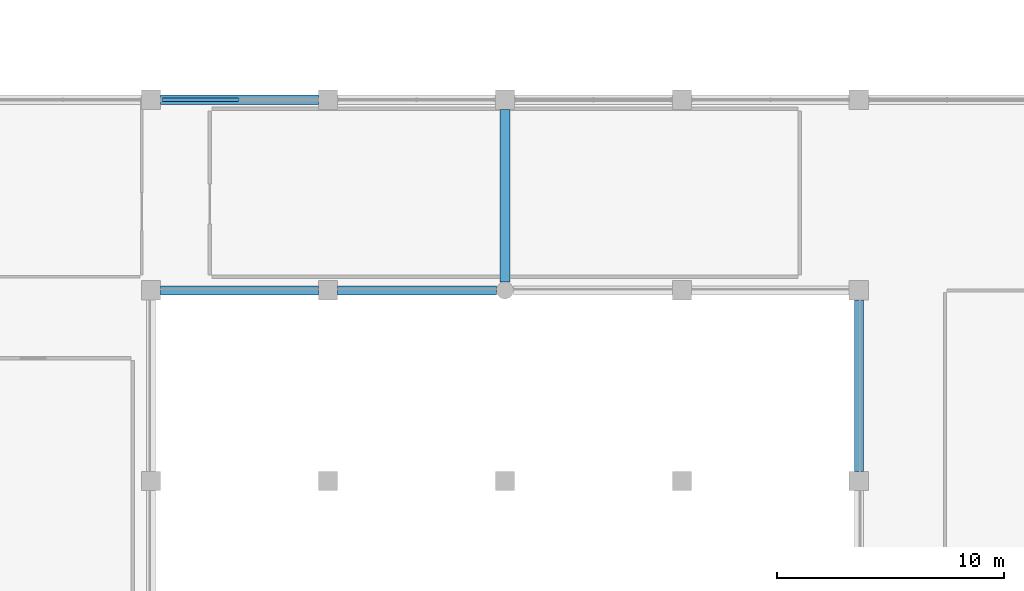
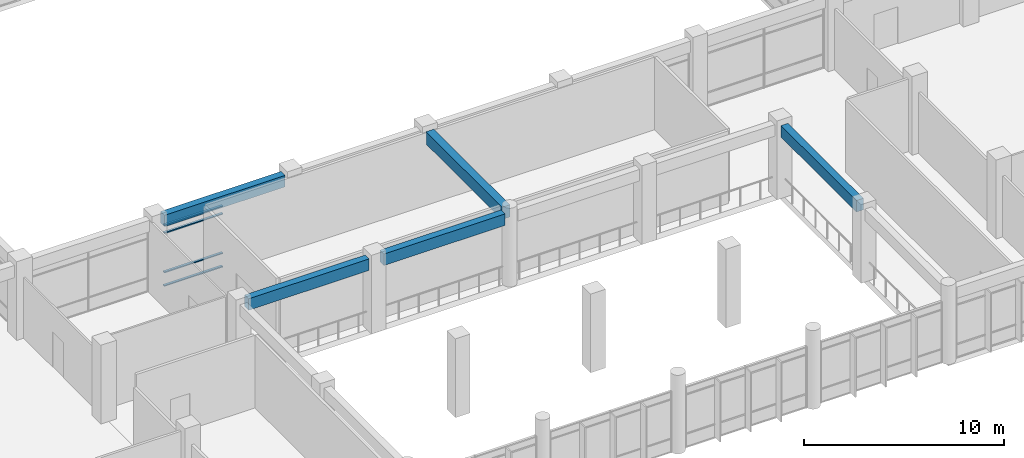
# One storey, part 14 of 79: 5 beams, 4 members, 1 element without a shape of its own.
"""IFC4 building model written with IfcOpenShell, lengths in metres."""

from ifc_helpers import new_model, si_unit, direction, frame, origin, origin_2d, place, context, subcontext, project, spatial, rectangle, hollow_rectangle, extrude, material, material_profile, profile_set, type_object, element, aggregate, save


model = new_model("IFC4")

# Units and contexts
model_context = context("Model", 3, precision=1e-05, world=origin(), true_north=direction((0.0, 1.0)))
body_context = subcontext(model_context, "Body", "Model", "MODEL_VIEW")
ifc_project = project(units=[si_unit("LENGTHUNIT", "METRE"), si_unit("AREAUNIT", "SQUARE_METRE"), si_unit("VOLUMEUNIT", "CUBIC_METRE"), si_unit("PLANEANGLEUNIT", "RADIAN"), si_unit("MASSUNIT", "GRAM", prefix="KILO"), si_unit("THERMODYNAMICTEMPERATUREUNIT", "KELVIN"), si_unit("POWERUNIT", "WATT")], contexts=[model_context])

# Site, building, storey
site_placement = place(None, origin())
site = spatial("IfcSite", under=ifc_project, at=site_placement, CompositionType="ELEMENT")
building_placement = place(site_placement, origin())
building = spatial("IfcBuilding", under=site, at=building_placement, Name="Srebrne Nadtorze General Hospital", CompositionType="ELEMENT")
storey_placement = place(building_placement, frame((0.0, 0.0, 4.800048828125)))
storey = spatial("IfcBuildingStorey", under=building, at=storey_placement, Name="L01", CompositionType="ELEMENT", Elevation=4.800048828125)

# Curtain wall, members
ifc_material_1 = material(Name="Anodised Aluminium", Category="aluminium")
curtain_wall_type = type_object("IfcCurtainWallType", Name="Unitised curtain wall 6950x3750", PredefinedType="NOTDEFINED", material=ifc_material_1)
curtain_wall_placement = place(storey_placement, origin())
curtain_wall = element("IfcCurtainWall", 1, at=curtain_wall_placement, inside=storey, type_object=curtain_wall_type, Name="Curtain wall CW-043", PredefinedType="NOTDEFINED")
ifc_material_2 = material(Name="Anodised Aluminium", Category="aluminium")
ifc_material_profile_1 = material_profile(ifc_material_2, hollow_rectangle(XDim=0.06494140625, YDim=0.139892578125, WallThickness=0.00390625, at=origin_2d()), Name="AL-TRN-65x140")
ifc_profile_set_1 = profile_set([ifc_material_profile_1], Name="Anodised Aluminium")
member_type = type_object("IfcMemberType", Name="Curtain transom 65x140", PredefinedType="USERDEFINED", material=ifc_profile_set_1)
member_1_placement = place(storey_placement, frame((62.889892578125, 25.199951171875, 0.032470703125), z_axis=(1.0, 0.0, 0.0), x_axis=(0.0, 0.0, 1.0)))
member_1 = element("IfcMember", 2, at=member_1_placement, type_object=member_type, Name="CW-043 transom 1.1", ObjectType="TRANSOM", PredefinedType="USERDEFINED", context=body_context, shape_type="SweptSolid", body=[
    extrude(hollow_rectangle(XDim=0.06494140625, YDim=0.139892578125, WallThickness=0.00390625, at=origin_2d()), origin(), (0.0, 0.0, 1.0), 3.377685546875),
])
member_2_placement = place(storey_placement, frame((62.889892578125, 25.199951171875, 0.849853515625), z_axis=(1.0, 0.0, 0.0), x_axis=(0.0, 0.0, 1.0)))
member_2 = element("IfcMember", 3, at=member_2_placement, type_object=member_type, Name="CW-043 transom 1.2", ObjectType="TRANSOM", PredefinedType="USERDEFINED", context=body_context, shape_type="SweptSolid", body=[
    extrude(hollow_rectangle(XDim=0.06494140625, YDim=0.139892578125, WallThickness=0.00390625, at=origin_2d()), origin(), (0.0, 0.0, 1.0), 3.377685546875),
])
member_3_placement = place(storey_placement, frame((62.889892578125, 25.199951171875, 3.25), z_axis=(1.0, 0.0, 0.0), x_axis=(0.0, 0.0, 1.0)))
member_3 = element("IfcMember", 4, at=member_3_placement, type_object=member_type, Name="CW-043 transom 1.3", ObjectType="TRANSOM", PredefinedType="USERDEFINED", context=body_context, shape_type="SweptSolid", body=[
    extrude(hollow_rectangle(XDim=0.06494140625, YDim=0.139892578125, WallThickness=0.00390625, at=origin_2d()), origin(), (0.0, 0.0, 1.0), 3.377685546875),
])
member_4_placement = place(storey_placement, frame((62.889892578125, 25.199951171875, 3.717529296875), z_axis=(1.0, 0.0, 0.0), x_axis=(0.0, 0.0, 1.0)))
member_4 = element("IfcMember", 5, at=member_4_placement, type_object=member_type, Name="CW-043 transom 1.4", ObjectType="TRANSOM", PredefinedType="USERDEFINED", context=body_context, shape_type="SweptSolid", body=[
    extrude(hollow_rectangle(XDim=0.06494140625, YDim=0.139892578125, WallThickness=0.00390625, at=origin_2d()), origin(), (0.0, 0.0, 1.0), 3.377685546875),
])
aggregate(curtain_wall, [member_1, member_2, member_3, member_4])

# Beams
ifc_material_3 = material(Name="Concrete C40/50", Category="concrete")
ifc_material_profile_2 = material_profile(ifc_material_3, rectangle(XDim=0.39990234375, YDim=0.699951171875, at=origin_2d()), Name="RC-BM-400x700")
ifc_profile_set_2 = profile_set([ifc_material_profile_2], Name="Concrete C40/50")
beam_type_1 = type_object("IfcBeamType", Name="Edge beam RC 400x700", PredefinedType="BEAM", material=ifc_profile_set_2)
beam_1_placement = place(storey_placement, frame((62.824951171875, 16.800048828125, 4.099853515625), z_axis=(1.0, 0.0, 0.0), x_axis=(0.0, 1.0, 0.0)))
element("IfcBeam", 6, at=beam_1_placement, inside=storey, type_object=beam_type_1, Name="Beam BM-L01-X-0380", PredefinedType="BEAM", context=body_context, shape_type="SweptSolid", body=[
    extrude(rectangle(XDim=0.39990234375, YDim=0.699951171875, at=origin_2d()), origin(), (0.0, 0.0, 1.0), 6.949951171875),
])
beam_2_placement = place(storey_placement, frame((70.625, 16.800048828125, 4.099853515625), z_axis=(1.0, 0.0, 0.0), x_axis=(0.0, 1.0, 0.0)))
element("IfcBeam", 7, at=beam_2_placement, inside=storey, type_object=beam_type_1, Name="Beam BM-L01-X-0381", PredefinedType="BEAM", context=body_context, shape_type="SweptSolid", body=[
    extrude(rectangle(XDim=0.39990234375, YDim=0.699951171875, at=origin_2d()), origin(), (0.0, 0.0, 1.0), 7.0),
])
beam_3_placement = place(storey_placement, frame((62.824951171875, 25.199951171875, 4.099853515625), z_axis=(1.0, 0.0, 0.0), x_axis=(0.0, 1.0, 0.0)))
element("IfcBeam", 8, at=beam_3_placement, inside=storey, type_object=beam_type_1, Name="Beam BM-L01-X-0389", PredefinedType="BEAM", context=body_context, shape_type="SweptSolid", body=[
    extrude(rectangle(XDim=0.39990234375, YDim=0.699951171875, at=origin_2d()), origin(), (0.0, 0.0, 1.0), 6.949951171875),
])
beam_4_placement = place(storey_placement, frame((93.60009765625, 8.824951171875, 4.099853515625), z_axis=(0.0, 1.0, 0.0), x_axis=(-1.0, 0.0, 0.0)))
element("IfcBeam", 9, at=beam_4_placement, inside=storey, type_object=beam_type_1, Name="Beam BM-L01-Y-0508", PredefinedType="BEAM", context=body_context, shape_type="SweptSolid", body=[
    extrude(rectangle(XDim=0.39990234375, YDim=0.699951171875, at=origin_2d()), origin(), (0.0, 0.0, 1.0), 7.550048828125),
])
ifc_material_4 = material(Name="Concrete C40/50", Category="concrete")
ifc_material_profile_3 = material_profile(ifc_material_4, rectangle(XDim=0.449951171875, YDim=0.75, at=origin_2d()), Name="RC-BM-450x750")
ifc_profile_set_3 = profile_set([ifc_material_profile_3], Name="Concrete C40/50")
beam_type_2 = type_object("IfcBeamType", Name="Primary beam RC 450x750", PredefinedType="BEAM", material=ifc_profile_set_3)
beam_5_placement = place(storey_placement, frame((78.0, 17.175048828125, 4.074951171875), z_axis=(0.0, 1.0, 0.0), x_axis=(-1.0, 0.0, 0.0)))
element("IfcBeam", 10, at=beam_5_placement, inside=storey, type_object=beam_type_2, Name="Beam BM-L01-Y-0501", PredefinedType="BEAM", context=body_context, shape_type="SweptSolid", body=[
    extrude(rectangle(XDim=0.449951171875, YDim=0.75, at=origin_2d()), origin(), (0.0, 0.0, 1.0), 7.599853515625),
])

save(model, "model.ifc")
